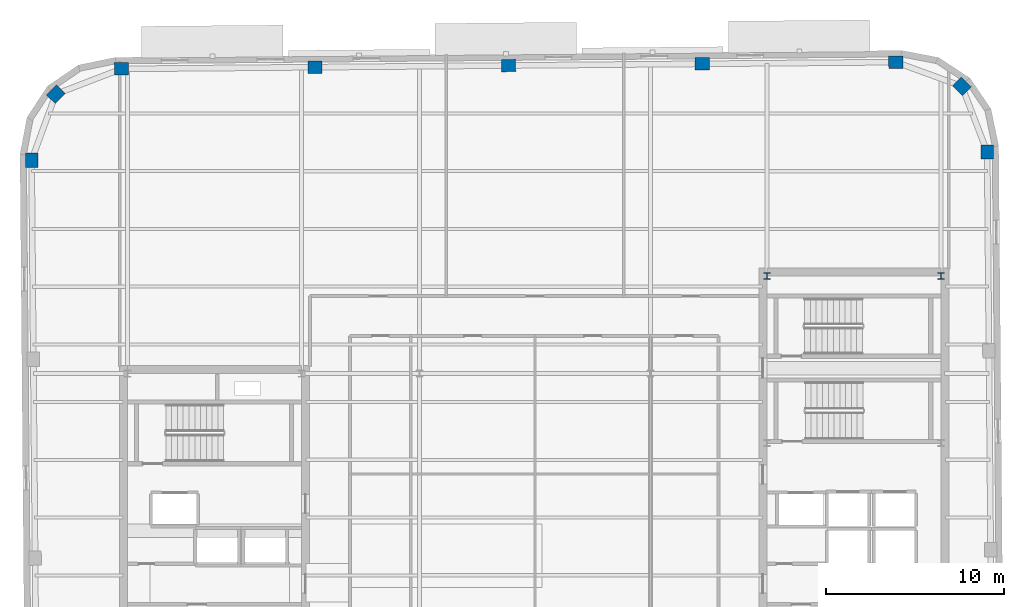
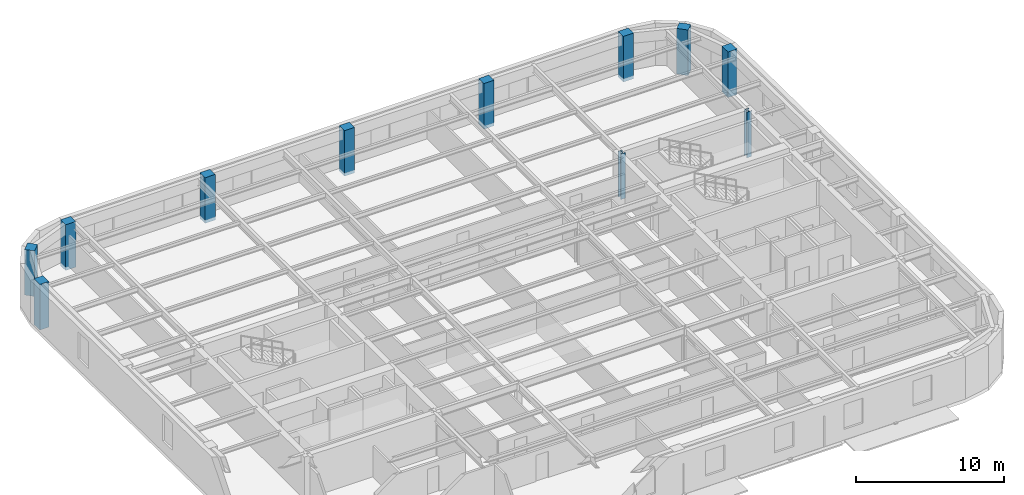
# One storey, part 3 of 14: 11 columns.
"""IFC4 building model written with IfcOpenShell, lengths in metres."""

from ifc_helpers import new_model, si_unit, direction, frame, origin, origin_2d, place, context, subcontext, project, spatial, rectangle, i_section, extrude, material, material_profile, profile_set, type_object, element, save


model = new_model("IFC4")

# Units and contexts
model_context = context("Model", 3, precision=1e-05, world=origin(), true_north=direction((0.0, 1.0)))
body_context = subcontext(model_context, "Body", "Model", "MODEL_VIEW")
ifc_project = project(units=[si_unit("LENGTHUNIT", "METRE"), si_unit("AREAUNIT", "SQUARE_METRE"), si_unit("VOLUMEUNIT", "CUBIC_METRE"), si_unit("PLANEANGLEUNIT", "RADIAN"), si_unit("MASSUNIT", "GRAM", prefix="KILO")], contexts=[model_context])

# Site, building, storey
site_placement = place(None, origin())
site = spatial("IfcSite", under=ifc_project, at=site_placement, CompositionType="ELEMENT")
building_placement = place(site_placement, origin())
building = spatial("IfcBuilding", under=site, at=building_placement, Name="Kolvaren Arena Tower", CompositionType="ELEMENT")
storey_placement = place(building_placement, frame((0.0, 0.0, 289.89990234375)))
storey = spatial("IfcBuildingStorey", under=building, at=storey_placement, Name="L71", CompositionType="ELEMENT", Elevation=289.89990234375)

# Columns
ifc_material_1 = material(Name="Precast concrete C50/60", Category="concrete")
ifc_material_profile_1 = material_profile(ifc_material_1, rectangle(XDim=0.800048828125, YDim=0.699951171875, at=origin_2d()), Name="RC-800x700")
ifc_profile_set_1 = profile_set([ifc_material_profile_1], Name="Precast concrete C50/60")
column_type_1 = type_object("IfcColumnType", Name="EXCOL-Z5", PredefinedType="COLUMN", material=ifc_profile_set_1)
for number, where, z_axis, x_axis, name in (
    (1, (62.952392578125, 46.333984375, -0.27001953125), (0.0, 0.0, 1.0), (-0.008726535498, 0.999961923064, 0.0), "Exoskeleton Perimeter Column 10 (L71)"),
    (2, (61.52880859375, 50.030517578125, -0.27001953125), (0.0, 0.0, 1.0), (-0.713250449154, 0.7009092643, 0.0), "Exoskeleton Perimeter Column 11 (L71)"),
    (3, (57.80810546875, 51.389404296875, -0.27001953125), (0.0, 0.0, 1.0), (0.999961923064, 0.008726535498, 0.0), "Exoskeleton Perimeter Column 12 (L71)"),
    (4, (46.908447265625, 51.294189453125, -0.27001953125), (0.0, 0.0, 1.0), (0.999961923064, 0.008726535498, 0.0), "Exoskeleton Perimeter Column 13 (L71)"),
    (5, (36.0087890625, 51.19921875, -0.27001953125), (0.0, 0.0, 1.0), (0.999961923064, 0.008726535498, 0.0), "Exoskeleton Perimeter Column 14 (L71)"),
    (6, (25.109375, 51.10400390625, -0.27001953125), (0.0, 0.0, 1.0), (0.999961923064, 0.008726535498, 0.0), "Exoskeleton Perimeter Column 15 (L71)"),
    (7, (14.209716796875, 51.0087890625, -0.27001953125), (0.0, 0.0, 1.0), (0.999961923064, 0.008726535498, 0.0), "Exoskeleton Perimeter Column 16 (L71)"),
    (8, (10.51318359375, 49.58544921875, -0.27001953125), (0.0, 0.0, 1.0), (0.7009092643, 0.713250449154, 0.0), "Exoskeleton Perimeter Column 17 (L71)"),
    (9, (9.154296875, 45.864501953125, -0.27001953125), (0.0, 0.0, 1.0), (-0.008726535498, 0.999961923064, 0.0), "Exoskeleton Perimeter Column 18 (L71)"),
):
    element("IfcColumn", number, at=place(storey_placement, frame(where, z_axis=z_axis, x_axis=x_axis)), inside=storey, type_object=column_type_1, Name=name, PredefinedType="COLUMN", context=body_context, shape_type="SweptSolid", body=[
        extrude(rectangle(XDim=0.800048828125, YDim=0.699951171875, at=origin_2d()), origin(), (0.0, 0.0, 1.0), 3.75),
    ])
ifc_material_2 = material(Name="Steel ASTM A913 Grade 65", Category="steel")
ifc_material_profile_2 = material_profile(ifc_material_2, i_section(OverallWidth=0.3740234375, OverallDepth=0.3720703125, WebThickness=0.016357421875, FlangeThickness=0.026123046875, FilletRadius=0.02001953125, at=origin_2d()), Name="W360x196")
ifc_profile_set_2 = profile_set([ifc_material_profile_2], Name="Steel ASTM A913 Grade 65")
column_type_2 = type_object("IfcColumnType", Name="SCOL-Z5", PredefinedType="COLUMN", material=ifc_profile_set_2)
for number, where, z_axis, x_axis, name in (
    (10, (50.550048828125, 39.35009765625, -0.27001953125), (0.0, 0.0, 1.0), (1.0, 0.0, 0.0), "Core Boundary Column EC-NW (L71)"),
    (11, (60.35009765625, 39.35009765625, -0.27001953125), (0.0, 0.0, 1.0), (1.0, 0.0, 0.0), "Core Boundary Column EC-NE (L71)"),
):
    element("IfcColumn", number, at=place(storey_placement, frame(where, z_axis=z_axis, x_axis=x_axis)), inside=storey, type_object=column_type_2, Name=name, PredefinedType="COLUMN", context=body_context, shape_type="SweptSolid", body=[
        extrude(i_section(OverallWidth=0.3740234375, OverallDepth=0.3720703125, WebThickness=0.016357421875, FlangeThickness=0.026123046875, FilletRadius=0.02001953125, at=origin_2d()), origin(), (0.0, 0.0, 1.0), 3.75),
    ])

save(model, "model.ifc")
